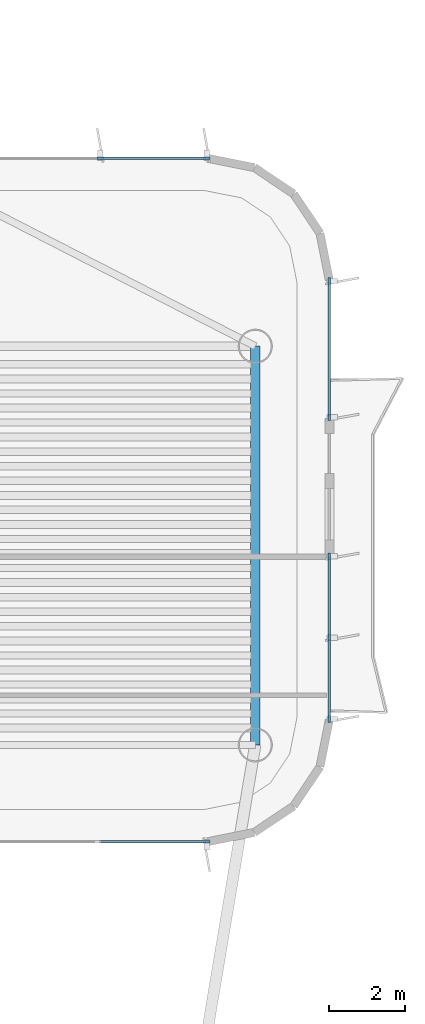
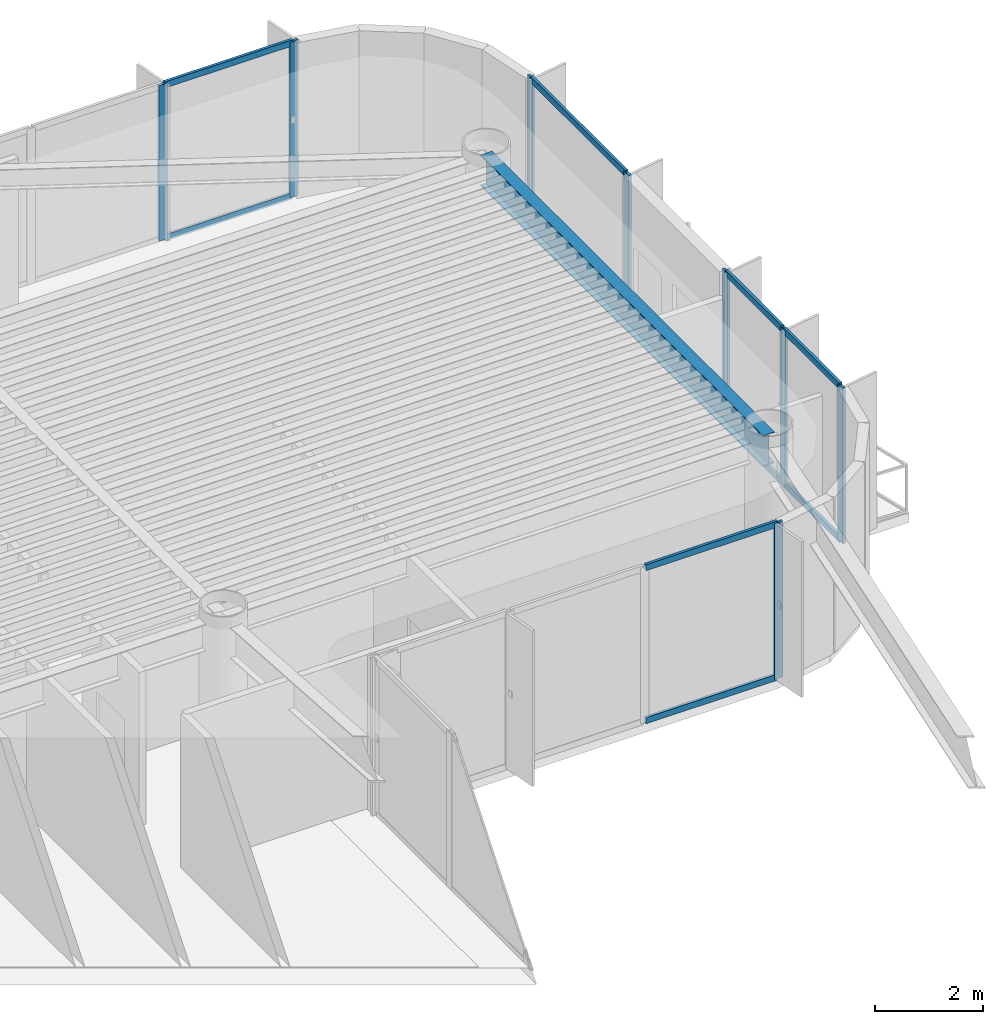
# One storey, part 8 of 15: 18 members, 1 beam, 4 elements without a shape of their own.
"""IFC4 building model written with IfcOpenShell, lengths in metres."""

from ifc_helpers import new_model, si_unit, direction, frame, origin, origin_2d, place, context, subcontext, project, spatial, rectangle, i_section, extrude, source, transform, mapped, material, layer, layer_set, material_profile, profile_set, type_object, element, aggregate, save


model = new_model("IFC4")

# Units and contexts
model_context = context("Model", 3, precision=1e-05, world=origin(), true_north=direction((0.0, 1.0)))
body_context = subcontext(model_context, "Body", "Model", "MODEL_VIEW")
ifc_project = project(units=[si_unit("LENGTHUNIT", "METRE"), si_unit("AREAUNIT", "SQUARE_METRE"), si_unit("VOLUMEUNIT", "CUBIC_METRE"), si_unit("PLANEANGLEUNIT", "RADIAN"), si_unit("MASSUNIT", "GRAM", prefix="KILO")], contexts=[model_context])

# Site, building, storey
site_placement = place(None, origin())
site = spatial("IfcSite", under=ifc_project, at=site_placement, CompositionType="ELEMENT")
building_placement = place(site_placement, origin())
building = spatial("IfcBuilding", under=site, at=building_placement, Name="Brelvock Crest Care Tower", CompositionType="ELEMENT")
storey_placement = place(building_placement, frame((0.0, 0.0, 249.47998046875)))
storey = spatial("IfcBuildingStorey", under=building, at=storey_placement, Name="L63", CompositionType="ELEMENT", Elevation=249.47998046875)

# Beam
ifc_material_1 = material(Name="Steel Grade 350", Category="steel")
ifc_material_profile_1 = material_profile(ifc_material_1, i_section(OverallWidth=0.25, OverallDepth=0.699951171875, WebThickness=0.011962890625, FlangeThickness=0.02001953125, at=origin_2d()), Name="700WB150")
ifc_profile_set_1 = profile_set([ifc_material_profile_1], Name="Steel Grade 350")
beam_type = type_object("IfcBeamType", Name="BM-G4", PredefinedType="BEAM", material=ifc_profile_set_1)
shared_shape_1 = source(origin(), body_context, "Body", "SweptSolid", [
    extrude(i_section(OverallWidth=0.25, OverallDepth=0.699951171875, WebThickness=0.011962890625, FlangeThickness=0.02001953125, at=origin_2d()), origin(), (0.0, 0.0, 1.0), 10.5),
])
beam_placement = place(storey_placement, frame((52.35009765625, 43.949951171875, 3.179931640625), z_axis=(0.0, 1.0, 0.0), x_axis=(-1.0, 0.0, 0.0)))
element("IfcBeam", 1, at=beam_placement, inside=storey, type_object=beam_type, Name="BM-TWR-L63-02", PredefinedType="BEAM", context=body_context, shape_type="MappedRepresentation", body=[
    mapped(shared_shape_1, transform((0.0, 0.0, 0.0), x_axis=(1.0, 0.0, 0.0), y_axis=(0.0, 1.0, 0.0), z_axis=(0.0, 0.0, 1.0), scale=1.0)),
])

# Curtain wall, members
ifc_material_2 = material(Name="Dark Glass Double Glazed Low-E", Category="glass")
ifc_layer = layer(ifc_material_2, 0.239990234375, Name="CWS-5")
ifc_layer_set = layer_set([ifc_layer], Name="Dark Glass Double Glazed Low-E")
curtain_wall_type = type_object("IfcCurtainWallType", Name="CWS-5", PredefinedType="NOTDEFINED", material=ifc_layer_set)
curtain_wall_1_placement = place(storey_placement, origin())
curtain_wall_1 = element("IfcCurtainWall", 2, at=curtain_wall_1_placement, inside=storey, type_object=curtain_wall_type, Name="L63 Curtain Wall E34", PredefinedType="NOTDEFINED")
ifc_material_3 = material(Name="Aluminium 6063-T6", Category="aluminium")
ifc_material_profile_2 = material_profile(ifc_material_3, rectangle(XDim=0.06005859375, YDim=0.179931640625, at=origin_2d()), Name="ALU60x180")
ifc_profile_set_2 = profile_set([ifc_material_profile_2], Name="Aluminium 6063-T6")
member_type_1 = type_object("IfcMemberType", Name="CWM-2", PredefinedType="MULLION", material=ifc_profile_set_2)
shared_shape_2 = source(origin(), body_context, "Body", "SweptSolid", [
    extrude(rectangle(XDim=0.06005859375, YDim=0.179931640625, at=origin_2d()), origin(), (0.0, 0.0, 1.0), 3.530029296875),
])
member_1_placement = place(storey_placement, frame((48.2666015625, 59.39990234375, 0.0), z_axis=(0.0, 0.0, 1.0), x_axis=(0.0, 1.0, 0.0)))
member_1 = element("IfcMember", 3, at=member_1_placement, type_object=member_type_1, Name="CW-5 mullion 3", PredefinedType="MULLION", context=body_context, shape_type="MappedRepresentation", body=[
    mapped(shared_shape_2, transform((0.0, 0.0, 0.0), x_axis=(1.0, 0.0, 0.0), y_axis=(0.0, 1.0, 0.0), z_axis=(0.0, 0.0, 1.0), scale=1.0)),
])
member_2_placement = place(storey_placement, frame((51.070068359375, 59.39990234375, 0.0), z_axis=(0.0, 0.0, 1.0), x_axis=(0.0, 1.0, 0.0)))
member_2 = element("IfcMember", 4, at=member_2_placement, type_object=member_type_1, Name="CW-5 mullion 4", PredefinedType="MULLION", context=body_context, shape_type="MappedRepresentation", body=[
    mapped(shared_shape_2, transform((0.0, 0.0, 0.0), x_axis=(1.0, 0.0, 0.0), y_axis=(0.0, 1.0, 0.0), z_axis=(0.0, 0.0, 1.0), scale=1.0)),
])

curtain_wall_2_placement = place(storey_placement, origin())
curtain_wall_2 = element("IfcCurtainWall", 5, at=curtain_wall_2_placement, inside=storey, type_object=curtain_wall_type, Name="L63 Curtain Wall E39A", PredefinedType="NOTDEFINED")
member_3_placement = place(storey_placement, frame((54.300048828125, 56.169921875, 0.0), z_axis=(0.0, 0.0, 1.0), x_axis=(1.0, 0.0, 0.0)))
member_3 = element("IfcMember", 6, at=member_3_placement, type_object=member_type_1, Name="CW-5 mullion 1", PredefinedType="MULLION", context=body_context, shape_type="MappedRepresentation", body=[
    mapped(shared_shape_2, transform((0.0, 0.0, 0.0), x_axis=(1.0, 0.0, 0.0), y_axis=(0.0, 1.0, 0.0), z_axis=(0.0, 0.0, 1.0), scale=1.0)),
])
member_4_placement = place(storey_placement, frame((54.300048828125, 52.580078125, 0.0), z_axis=(0.0, 0.0, 1.0), x_axis=(1.0, 0.0, 0.0)))
member_4 = element("IfcMember", 7, at=member_4_placement, type_object=member_type_1, Name="CW-5 mullion 2", PredefinedType="MULLION", context=body_context, shape_type="MappedRepresentation", body=[
    mapped(shared_shape_2, transform((0.0, 0.0, 0.0), x_axis=(1.0, 0.0, 0.0), y_axis=(0.0, 1.0, 0.0), z_axis=(0.0, 0.0, 1.0), scale=1.0)),
])

curtain_wall_3_placement = place(storey_placement, origin())
curtain_wall_3 = element("IfcCurtainWall", 8, at=curtain_wall_3_placement, inside=storey, type_object=curtain_wall_type, Name="L63 Curtain Wall E39B", PredefinedType="NOTDEFINED")
member_5_placement = place(storey_placement, frame((54.300048828125, 48.919921875, 0.0), z_axis=(0.0, 0.0, 1.0), x_axis=(1.0, 0.0, 0.0)))
member_5 = element("IfcMember", 9, at=member_5_placement, type_object=member_type_1, Name="CW-5 mullion 1", PredefinedType="MULLION", context=body_context, shape_type="MappedRepresentation", body=[
    mapped(shared_shape_2, transform((0.0, 0.0, 0.0), x_axis=(1.0, 0.0, 0.0), y_axis=(0.0, 1.0, 0.0), z_axis=(0.0, 0.0, 1.0), scale=1.0)),
])
member_6_placement = place(storey_placement, frame((54.300048828125, 46.77490234375, 0.0), z_axis=(0.0, 0.0, 1.0), x_axis=(1.0, 0.0, 0.0)))
member_6 = element("IfcMember", 10, at=member_6_placement, type_object=member_type_1, Name="CW-5 mullion 2", PredefinedType="MULLION", context=body_context, shape_type="MappedRepresentation", body=[
    mapped(shared_shape_2, transform((0.0, 0.0, 0.0), x_axis=(1.0, 0.0, 0.0), y_axis=(0.0, 1.0, 0.0), z_axis=(0.0, 0.0, 1.0), scale=1.0)),
])
member_7_placement = place(storey_placement, frame((54.300048828125, 44.6298828125, 0.0), z_axis=(0.0, 0.0, 1.0), x_axis=(1.0, 0.0, 0.0)))
member_7 = element("IfcMember", 11, at=member_7_placement, type_object=member_type_1, Name="CW-5 mullion 3", PredefinedType="MULLION", context=body_context, shape_type="MappedRepresentation", body=[
    mapped(shared_shape_2, transform((0.0, 0.0, 0.0), x_axis=(1.0, 0.0, 0.0), y_axis=(0.0, 1.0, 0.0), z_axis=(0.0, 0.0, 1.0), scale=1.0)),
])

curtain_wall_4_placement = place(storey_placement, origin())
curtain_wall_4 = element("IfcCurtainWall", 12, at=curtain_wall_4_placement, inside=storey, type_object=curtain_wall_type, Name="L63 Curtain Wall E44", PredefinedType="NOTDEFINED")
member_8_placement = place(storey_placement, frame((51.070068359375, 41.39990234375, 0.0), z_axis=(0.0, 0.0, 1.0), x_axis=(0.0, -1.0, 0.0)))
member_8 = element("IfcMember", 13, at=member_8_placement, type_object=member_type_1, Name="CW-5 mullion 1", PredefinedType="MULLION", context=body_context, shape_type="MappedRepresentation", body=[
    mapped(shared_shape_2, transform((0.0, 0.0, 0.0), x_axis=(1.0, 0.0, 0.0), y_axis=(0.0, 1.0, 0.0), z_axis=(0.0, 0.0, 1.0), scale=1.0)),
])
ifc_material_profile_3 = material_profile(ifc_material_3, rectangle(XDim=0.06005859375, YDim=0.139892578125, at=origin_2d()), Name="ALU60x140")
ifc_profile_set_3 = profile_set([ifc_material_profile_3], Name="Aluminium 6063-T6")
member_type_2 = type_object("IfcMemberType", Name="CWT-2", PredefinedType="USERDEFINED", material=ifc_profile_set_3)
shared_shape_3 = source(origin(), body_context, "Body", "SweptSolid", [
    extrude(rectangle(XDim=0.06005859375, YDim=0.139892578125, at=origin_2d()), origin(), (0.0, 0.0, 1.0), 2.81005859375),
])
member_9_placement = place(storey_placement, frame((51.0400390625, 41.39990234375, 0.030029296875), z_axis=(-1.0, 0.0, 0.0), x_axis=(0.0, -1.0, 0.0)))
member_9 = element("IfcMember", 14, at=member_9_placement, type_object=member_type_2, Name="CW-5 transom 1.1", ObjectType="TRANSOM", PredefinedType="USERDEFINED", context=body_context, shape_type="MappedRepresentation", body=[
    mapped(shared_shape_3, transform((0.0, 0.0, 0.0), x_axis=(1.0, 0.0, 0.0), y_axis=(0.0, 1.0, 0.0), z_axis=(0.0, 0.0, 1.0), scale=1.0)),
])
member_10_placement = place(storey_placement, frame((51.0400390625, 41.39990234375, 3.5), z_axis=(-1.0, 0.0, 0.0), x_axis=(0.0, -1.0, 0.0)))
member_10 = element("IfcMember", 15, at=member_10_placement, type_object=member_type_2, Name="CW-5 transom 1.2", ObjectType="TRANSOM", PredefinedType="USERDEFINED", context=body_context, shape_type="MappedRepresentation", body=[
    mapped(shared_shape_3, transform((0.0, 0.0, 0.0), x_axis=(1.0, 0.0, 0.0), y_axis=(0.0, 1.0, 0.0), z_axis=(0.0, 0.0, 1.0), scale=1.0)),
])
aggregate(curtain_wall_4, [member_8, member_9, member_10])

# Member
shared_shape_4 = source(origin(), body_context, "Body", "SweptSolid", [
    extrude(rectangle(XDim=0.06005859375, YDim=0.139892578125, at=origin_2d()), origin(), (0.0, 0.0, 1.0), 2.743408203125),
])
member_11_placement = place(storey_placement, frame((48.296630859375, 59.39990234375, 0.030029296875), z_axis=(1.0, 0.0, 0.0), x_axis=(0.0, 1.0, 0.0)))
member_11 = element("IfcMember", 16, at=member_11_placement, type_object=member_type_2, Name="CW-5 transom 3.1", ObjectType="TRANSOM", PredefinedType="USERDEFINED", context=body_context, shape_type="MappedRepresentation", body=[
    mapped(shared_shape_4, transform((0.0, 0.0, 0.0), x_axis=(1.0, 0.0, 0.0), y_axis=(0.0, 1.0, 0.0), z_axis=(0.0, 0.0, 1.0), scale=1.0)),
])

member_12_placement = place(storey_placement, frame((48.296630859375, 59.39990234375, 3.5), z_axis=(1.0, 0.0, 0.0), x_axis=(0.0, 1.0, 0.0)))
member_12 = element("IfcMember", 17, at=member_12_placement, type_object=member_type_2, Name="CW-5 transom 3.2", ObjectType="TRANSOM", PredefinedType="USERDEFINED", context=body_context, shape_type="MappedRepresentation", body=[
    mapped(shared_shape_4, transform((0.0, 0.0, 0.0), x_axis=(1.0, 0.0, 0.0), y_axis=(0.0, 1.0, 0.0), z_axis=(0.0, 0.0, 1.0), scale=1.0)),
])

aggregate(curtain_wall_1, [member_1, member_2, member_11, member_12])

shared_shape_5 = source(origin(), body_context, "Body", "SweptSolid", [
    extrude(rectangle(XDim=0.06005859375, YDim=0.139892578125, at=origin_2d()), origin(), (0.0, 0.0, 1.0), 2.085205078125),
])
member_13_placement = place(storey_placement, frame((54.300048828125, 46.7451171875, 0.030029296875), z_axis=(0.0, -1.0, 0.0), x_axis=(1.0, 0.0, 0.0)))
member_13 = element("IfcMember", 18, at=member_13_placement, type_object=member_type_2, Name="CW-5 transom 2.1", ObjectType="TRANSOM", PredefinedType="USERDEFINED", context=body_context, shape_type="MappedRepresentation", body=[
    mapped(shared_shape_5, transform((0.0, 0.0, 0.0), x_axis=(1.0, 0.0, 0.0), y_axis=(0.0, 1.0, 0.0), z_axis=(0.0, 0.0, 1.0), scale=1.0)),
])

member_14_placement = place(storey_placement, frame((54.300048828125, 46.7451171875, 3.5), z_axis=(0.0, -1.0, 0.0), x_axis=(1.0, 0.0, 0.0)))
member_14 = element("IfcMember", 19, at=member_14_placement, type_object=member_type_2, Name="CW-5 transom 2.2", ObjectType="TRANSOM", PredefinedType="USERDEFINED", context=body_context, shape_type="MappedRepresentation", body=[
    mapped(shared_shape_5, transform((0.0, 0.0, 0.0), x_axis=(1.0, 0.0, 0.0), y_axis=(0.0, 1.0, 0.0), z_axis=(0.0, 0.0, 1.0), scale=1.0)),
])

shared_shape_6 = source(origin(), body_context, "Body", "SweptSolid", [
    extrude(rectangle(XDim=0.06005859375, YDim=0.139892578125, at=origin_2d()), origin(), (0.0, 0.0, 1.0), 2.0849609375),
])
member_15_placement = place(storey_placement, frame((54.300048828125, 48.889892578125, 0.030029296875), z_axis=(0.0, -1.0, 0.0), x_axis=(1.0, 0.0, 0.0)))
member_15 = element("IfcMember", 20, at=member_15_placement, type_object=member_type_2, Name="CW-5 transom 1.1", ObjectType="TRANSOM", PredefinedType="USERDEFINED", context=body_context, shape_type="MappedRepresentation", body=[
    mapped(shared_shape_6, transform((0.0, 0.0, 0.0), x_axis=(1.0, 0.0, 0.0), y_axis=(0.0, 1.0, 0.0), z_axis=(0.0, 0.0, 1.0), scale=1.0)),
])

member_16_placement = place(storey_placement, frame((54.300048828125, 48.889892578125, 3.5), z_axis=(0.0, -1.0, 0.0), x_axis=(1.0, 0.0, 0.0)))
member_16 = element("IfcMember", 21, at=member_16_placement, type_object=member_type_2, Name="CW-5 transom 1.2", ObjectType="TRANSOM", PredefinedType="USERDEFINED", context=body_context, shape_type="MappedRepresentation", body=[
    mapped(shared_shape_6, transform((0.0, 0.0, 0.0), x_axis=(1.0, 0.0, 0.0), y_axis=(0.0, 1.0, 0.0), z_axis=(0.0, 0.0, 1.0), scale=1.0)),
])

aggregate(curtain_wall_3, [member_5, member_6, member_7, member_15, member_16, member_13, member_14])

shared_shape_7 = source(origin(), body_context, "Body", "SweptSolid", [
    extrude(rectangle(XDim=0.06005859375, YDim=0.139892578125, at=origin_2d()), origin(), (0.0, 0.0, 1.0), 3.52978515625),
])
member_17_placement = place(storey_placement, frame((54.300048828125, 56.139892578125, 0.030029296875), z_axis=(0.0, -1.0, 0.0), x_axis=(1.0, 0.0, 0.0)))
member_17 = element("IfcMember", 22, at=member_17_placement, type_object=member_type_2, Name="CW-5 transom 1.1", ObjectType="TRANSOM", PredefinedType="USERDEFINED", context=body_context, shape_type="MappedRepresentation", body=[
    mapped(shared_shape_7, transform((0.0, 0.0, 0.0), x_axis=(1.0, 0.0, 0.0), y_axis=(0.0, 1.0, 0.0), z_axis=(0.0, 0.0, 1.0), scale=1.0)),
])

member_18_placement = place(storey_placement, frame((54.300048828125, 56.139892578125, 3.5), z_axis=(0.0, -1.0, 0.0), x_axis=(1.0, 0.0, 0.0)))
member_18 = element("IfcMember", 23, at=member_18_placement, type_object=member_type_2, Name="CW-5 transom 1.2", ObjectType="TRANSOM", PredefinedType="USERDEFINED", context=body_context, shape_type="MappedRepresentation", body=[
    mapped(shared_shape_7, transform((0.0, 0.0, 0.0), x_axis=(1.0, 0.0, 0.0), y_axis=(0.0, 1.0, 0.0), z_axis=(0.0, 0.0, 1.0), scale=1.0)),
])

aggregate(curtain_wall_2, [member_3, member_4, member_17, member_18])

save(model, "model.ifc")
